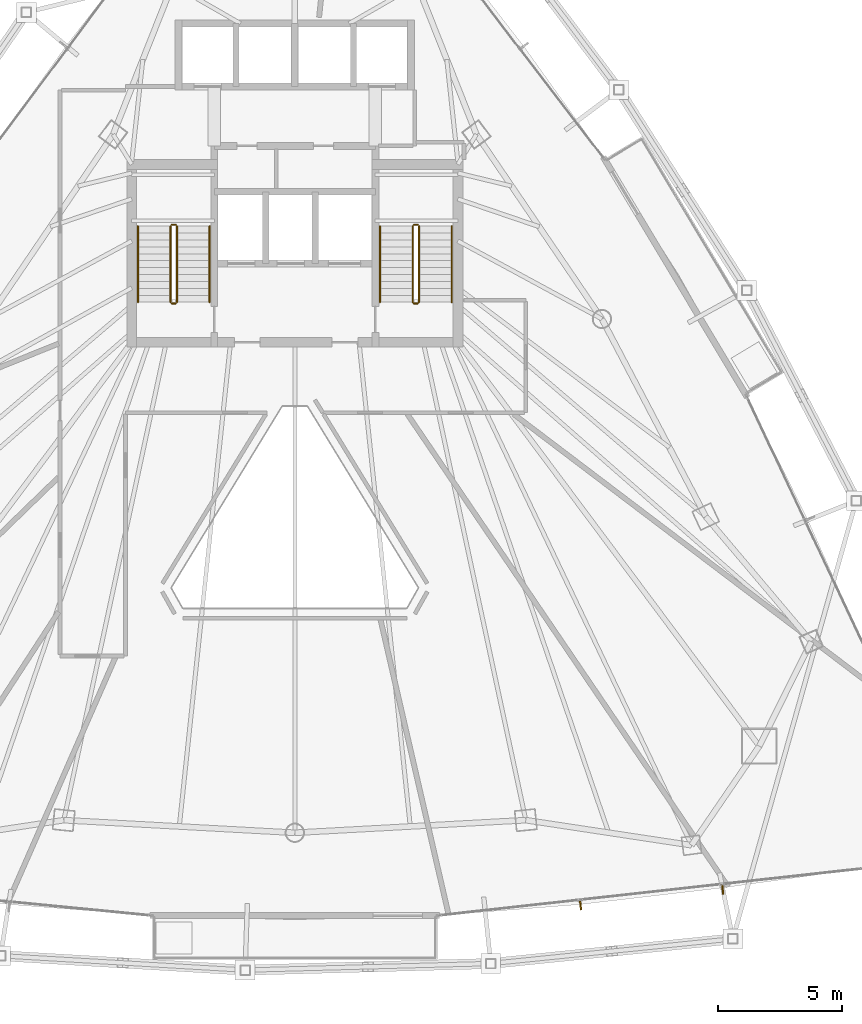
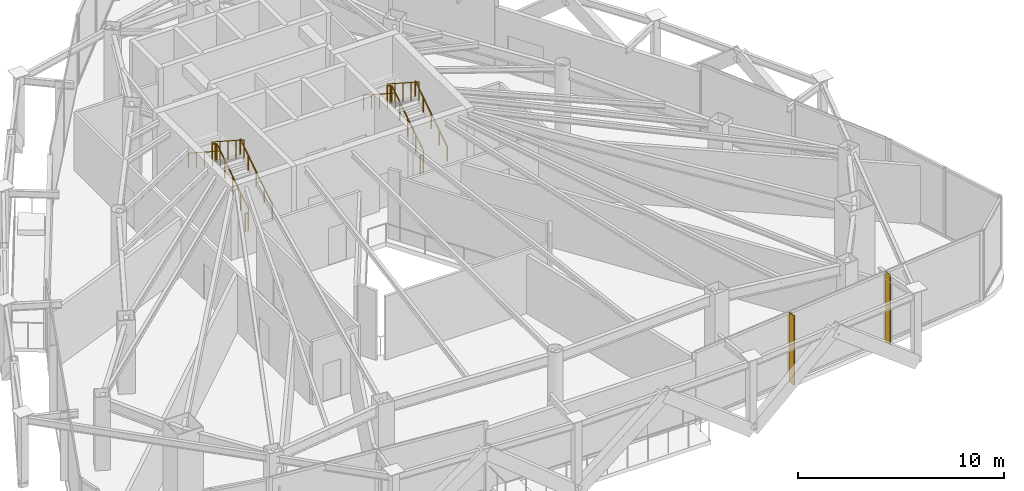
# One storey, part 27 of 28: 12 railings, 2 shading devices.
"""IFC4 building model written with IfcOpenShell, lengths in metres."""

from ifc_helpers import new_model, si_unit, direction, frame, origin, origin_2d, place, context, subcontext, project, spatial, rectangle, circle, extrude, material, layer, layer_set, type_object, element, save


model = new_model("IFC4")

# Units and contexts
model_context = context("Model", 3, precision=1e-05, world=origin(), true_north=direction((0.0, 1.0)))
body_context = subcontext(model_context, "Body", "Model", "MODEL_VIEW")
ifc_project = project(units=[si_unit("LENGTHUNIT", "METRE"), si_unit("AREAUNIT", "SQUARE_METRE"), si_unit("VOLUMEUNIT", "CUBIC_METRE"), si_unit("PLANEANGLEUNIT", "RADIAN"), si_unit("MASSUNIT", "GRAM", prefix="KILO")], contexts=[model_context])

# Site, building, storey
site_placement = place(None, origin())
site = spatial("IfcSite", under=ifc_project, at=site_placement, CompositionType="ELEMENT")
building_placement = place(site_placement, origin())
building = spatial("IfcBuilding", under=site, at=building_placement, Name="Orvanel Arch Residences", CompositionType="ELEMENT")
storey_placement = place(building_placement, frame((0.0, 0.0, 146.300048828125)))
storey = spatial("IfcBuildingStorey", under=building, at=storey_placement, Name="L41", CompositionType="ELEMENT", Elevation=146.300048828125)

# Shading devices
ifc_material_1 = material(Name="Bronze-anodised aluminium AA6063-T6", Category="aluminium")
ifc_layer = layer(ifc_material_1, 0.06005859375)
ifc_layer_set = layer_set([ifc_layer], Name="Bronze-anodised aluminium AA6063-T6")
shading_device_type = type_object("IfcShadingDeviceType", Name="FIN-BRZ-380", PredefinedType="USERDEFINED", material=ifc_layer_set)
for number, where, z_axis, x_axis, name in (
    (1, (44.56591796875, 3.909912109375, 0.0), (0.0, 0.0, 1.0), (0.109734311091, -0.993960955455, 0.0), "L41 Anodised Bronze Mullion FIN 01"),
    (2, (50.320068359375, 4.548095703125, 0.0), (0.0, 0.0, 1.0), (0.109734311091, -0.993960955455, 0.0), "L41 Anodised Bronze Mullion FIN 02"),
):
    element("IfcShadingDevice", number, at=place(storey_placement, frame(where, z_axis=z_axis, x_axis=x_axis)), inside=storey, type_object=shading_device_type, Name=name, ObjectType="FIN", PredefinedType="USERDEFINED", context=body_context, shape_type="SweptSolid", body=[
        extrude(rectangle(XDim=0.3798828125, YDim=0.06005859375, at=origin_2d()), origin(), (0.0, 0.0, 1.0), 4.110107421875),
    ])

# Railings
ifc_material_2 = material(Name="Structural steel AS/NZS 1163 C350L0 (Grade 350)", Category="steel")
railing_type_1 = type_object("IfcRailingType", Name="RL-STAIR-GUARD", PredefinedType="GUARDRAIL", material=ifc_material_2)
railing_1_placement = place(storey_placement, frame((28.22998046875, 28.320068359375, 0.18115234375)))
element("IfcRailing", 3, at=railing_1_placement, inside=storey, type_object=railing_type_1, Name="L41 ST-1 stair guard 1", PredefinedType="GUARDRAIL", context=body_context, shape_type="SweptSolid", body=[
    extrude(circle(Radius=0.02392578125, at=origin_2d()), frame((0.0, 0.001220703125, 1.076904296875), z_axis=(0.0, 0.839438020429, 0.543455435025), x_axis=(-1.0, 0.0, 0.0)), (0.0, 0.0, 1.0), 3.666015625),
    extrude(circle(Radius=0.02099609375, at=origin_2d()), origin(), (0.0, 0.0, 1.0), 1.050048828125),
    extrude(circle(Radius=0.02099609375, at=origin_2d()), frame((0.0, 0.77001953125, 0.49853515625)), (0.0, 0.0, 1.0), 1.050048828125),
    extrude(circle(Radius=0.02099609375, at=origin_2d()), frame((0.0, 1.5400390625, 0.9970703125)), (0.0, 0.0, 1.0), 1.050048828125),
    extrude(circle(Radius=0.02099609375, at=origin_2d()), frame((0.0, 2.309814453125, 1.495361328125)), (0.0, 0.0, 1.0), 1.050048828125),
    extrude(circle(Radius=0.02099609375, at=origin_2d()), frame((0.0, 3.079833984375, 1.993896484375)), (0.0, 0.0, 1.0), 1.050048828125),
])
railing_2_placement = place(storey_placement, frame((28.179931640625, 31.449951171875, 2.175048828125)))
element("IfcRailing", 4, at=railing_2_placement, inside=storey, type_object=railing_type_1, Name="L41 ST-1 stair guard 2", PredefinedType="GUARDRAIL", context=body_context, shape_type="SweptSolid", body=[
    extrude(circle(Radius=0.02392578125, at=origin_2d()), frame((-0.00146484375, 0.0, 1.076171875), z_axis=(-1.0, 0.0, 0.0), x_axis=(0.0, -1.0, 0.0)), (0.0, 0.0, 1.0), 0.156982421875),
    extrude(circle(Radius=0.02099609375, at=origin_2d()), origin(), (0.0, 0.0, 1.0), 1.050048828125),
    extrude(circle(Radius=0.02099609375, at=origin_2d()), frame((-0.159912109375, 0.0, 0.0)), (0.0, 0.0, 1.0), 1.050048828125),
])
railing_3_placement = place(storey_placement, frame((27.969970703125, 31.39990234375, 2.356201171875)))
element("IfcRailing", 5, at=railing_3_placement, inside=storey, type_object=railing_type_1, Name="L41 ST-1 stair guard 3", PredefinedType="GUARDRAIL", context=body_context, shape_type="SweptSolid", body=[
    extrude(circle(Radius=0.02392578125, at=origin_2d()), frame((0.0, -0.001220703125, 1.076904296875), z_axis=(0.0, -0.839468376875, 0.543408542652), x_axis=(1.0, 0.0, 0.0)), (0.0, 0.0, 1.0), 3.665771484375),
    extrude(circle(Radius=0.02099609375, at=origin_2d()), origin(), (0.0, 0.0, 1.0), 1.050048828125),
    extrude(circle(Radius=0.02099609375, at=origin_2d()), frame((0.0, -0.77001953125, 0.49853515625)), (0.0, 0.0, 1.0), 1.050048828125),
    extrude(circle(Radius=0.02099609375, at=origin_2d()), frame((0.0, -1.5400390625, 0.996826171875)), (0.0, 0.0, 1.0), 1.050048828125),
    extrude(circle(Radius=0.02099609375, at=origin_2d()), frame((0.0, -2.309814453125, 1.4951171875)), (0.0, 0.0, 1.0), 1.050048828125),
    extrude(circle(Radius=0.02099609375, at=origin_2d()), frame((0.0, -3.079833984375, 1.99365234375)), (0.0, 0.0, 1.0), 1.050048828125),
])
railing_4_placement = place(storey_placement, frame((28.179931640625, 28.27001953125, 0.0)))
element("IfcRailing", 6, at=railing_4_placement, inside=storey, type_object=railing_type_1, Name="L41 ST-1 stair guard 4", PredefinedType="GUARDRAIL", context=body_context, shape_type="SweptSolid", body=[
    extrude(circle(Radius=0.02392578125, at=origin_2d()), frame((-0.00146484375, 0.0, 1.076171875), z_axis=(-1.0, 0.0, 0.0), x_axis=(0.0, -1.0, 0.0)), (0.0, 0.0, 1.0), 0.156982421875),
    extrude(circle(Radius=0.02099609375, at=origin_2d()), origin(), (0.0, 0.0, 1.0), 1.050048828125),
    extrude(circle(Radius=0.02099609375, at=origin_2d()), frame((-0.159912109375, 0.0, 0.0)), (0.0, 0.0, 1.0), 1.050048828125),
])
railing_5_placement = place(storey_placement, frame((38.030029296875, 28.320068359375, 0.18115234375)))
element("IfcRailing", 7, at=railing_5_placement, inside=storey, type_object=railing_type_1, Name="L41 ST-2 stair guard 1", PredefinedType="GUARDRAIL", context=body_context, shape_type="SweptSolid", body=[
    extrude(circle(Radius=0.02392578125, at=origin_2d()), frame((0.0, 0.001220703125, 1.076904296875), z_axis=(0.0, 0.839438020429, 0.543455435025), x_axis=(-1.0, 0.0, 0.0)), (0.0, 0.0, 1.0), 3.666015625),
    extrude(circle(Radius=0.02099609375, at=origin_2d()), origin(), (0.0, 0.0, 1.0), 1.050048828125),
    extrude(circle(Radius=0.02099609375, at=origin_2d()), frame((0.0, 0.77001953125, 0.49853515625)), (0.0, 0.0, 1.0), 1.050048828125),
    extrude(circle(Radius=0.02099609375, at=origin_2d()), frame((0.0, 1.5400390625, 0.9970703125)), (0.0, 0.0, 1.0), 1.050048828125),
    extrude(circle(Radius=0.02099609375, at=origin_2d()), frame((0.0, 2.309814453125, 1.495361328125)), (0.0, 0.0, 1.0), 1.050048828125),
    extrude(circle(Radius=0.02099609375, at=origin_2d()), frame((0.0, 3.079833984375, 1.993896484375)), (0.0, 0.0, 1.0), 1.050048828125),
])
railing_6_placement = place(storey_placement, frame((37.97998046875, 31.449951171875, 2.175048828125)))
element("IfcRailing", 8, at=railing_6_placement, inside=storey, type_object=railing_type_1, Name="L41 ST-2 stair guard 2", PredefinedType="GUARDRAIL", context=body_context, shape_type="SweptSolid", body=[
    extrude(circle(Radius=0.02392578125, at=origin_2d()), frame((-0.00146484375, 0.0, 1.076171875), z_axis=(-1.0, 0.0, 0.0), x_axis=(0.0, -1.0, 0.0)), (0.0, 0.0, 1.0), 0.156982421875),
    extrude(circle(Radius=0.02099609375, at=origin_2d()), origin(), (0.0, 0.0, 1.0), 1.050048828125),
    extrude(circle(Radius=0.02099609375, at=origin_2d()), frame((-0.159912109375, 0.0, 0.0)), (0.0, 0.0, 1.0), 1.050048828125),
])
railing_7_placement = place(storey_placement, frame((37.77001953125, 31.39990234375, 2.356201171875)))
element("IfcRailing", 9, at=railing_7_placement, inside=storey, type_object=railing_type_1, Name="L41 ST-2 stair guard 3", PredefinedType="GUARDRAIL", context=body_context, shape_type="SweptSolid", body=[
    extrude(circle(Radius=0.02392578125, at=origin_2d()), frame((0.0, -0.001220703125, 1.076904296875), z_axis=(0.0, -0.839468376875, 0.543408542652), x_axis=(1.0, 0.0, 0.0)), (0.0, 0.0, 1.0), 3.665771484375),
    extrude(circle(Radius=0.02099609375, at=origin_2d()), origin(), (0.0, 0.0, 1.0), 1.050048828125),
    extrude(circle(Radius=0.02099609375, at=origin_2d()), frame((0.0, -0.77001953125, 0.49853515625)), (0.0, 0.0, 1.0), 1.050048828125),
    extrude(circle(Radius=0.02099609375, at=origin_2d()), frame((0.0, -1.5400390625, 0.996826171875)), (0.0, 0.0, 1.0), 1.050048828125),
    extrude(circle(Radius=0.02099609375, at=origin_2d()), frame((0.0, -2.309814453125, 1.4951171875)), (0.0, 0.0, 1.0), 1.050048828125),
    extrude(circle(Radius=0.02099609375, at=origin_2d()), frame((0.0, -3.079833984375, 1.99365234375)), (0.0, 0.0, 1.0), 1.050048828125),
])
railing_8_placement = place(storey_placement, frame((37.97998046875, 28.27001953125, 0.0)))
element("IfcRailing", 10, at=railing_8_placement, inside=storey, type_object=railing_type_1, Name="L41 ST-2 stair guard 4", PredefinedType="GUARDRAIL", context=body_context, shape_type="SweptSolid", body=[
    extrude(circle(Radius=0.02392578125, at=origin_2d()), frame((-0.00146484375, 0.0, 1.076171875), z_axis=(-1.0, 0.0, 0.0), x_axis=(0.0, -1.0, 0.0)), (0.0, 0.0, 1.0), 0.156982421875),
    extrude(circle(Radius=0.02099609375, at=origin_2d()), origin(), (0.0, 0.0, 1.0), 1.050048828125),
    extrude(circle(Radius=0.02099609375, at=origin_2d()), frame((-0.159912109375, 0.0, 0.0)), (0.0, 0.0, 1.0), 1.050048828125),
])
railing_type_2 = type_object("IfcRailingType", Name="RL-STAIR-HAND", PredefinedType="HANDRAIL", material=ifc_material_2)
railing_9_placement = place(storey_placement, frame((29.550048828125, 28.320068359375, 0.18115234375)))
element("IfcRailing", 11, at=railing_9_placement, inside=storey, type_object=railing_type_2, Name="L41 ST-1 stair handrail 1", PredefinedType="HANDRAIL", context=body_context, shape_type="SweptSolid", body=[
    extrude(circle(Radius=0.02392578125, at=origin_2d()), frame((0.0, 0.001220703125, 0.876708984375), z_axis=(0.0, 0.839438020429, 0.543455435025), x_axis=(-1.0, 0.0, 0.0)), (0.0, 0.0, 1.0), 3.666015625),
    extrude(circle(Radius=0.02099609375, at=origin_2d()), origin(), (0.0, 0.0, 1.0), 0.849853515625),
    extrude(circle(Radius=0.02099609375, at=origin_2d()), frame((0.0, 0.77001953125, 0.49853515625)), (0.0, 0.0, 1.0), 0.849853515625),
    extrude(circle(Radius=0.02099609375, at=origin_2d()), frame((0.0, 1.5400390625, 0.9970703125)), (0.0, 0.0, 1.0), 0.849853515625),
    extrude(circle(Radius=0.02099609375, at=origin_2d()), frame((0.0, 2.309814453125, 1.495361328125)), (0.0, 0.0, 1.0), 0.849853515625),
    extrude(circle(Radius=0.02099609375, at=origin_2d()), frame((0.0, 3.079833984375, 1.993896484375)), (0.0, 0.0, 1.0), 0.849853515625),
])
railing_10_placement = place(storey_placement, frame((26.64990234375, 31.39990234375, 2.356201171875)))
element("IfcRailing", 12, at=railing_10_placement, inside=storey, type_object=railing_type_2, Name="L41 ST-1 stair handrail 2", PredefinedType="HANDRAIL", context=body_context, shape_type="SweptSolid", body=[
    extrude(circle(Radius=0.02392578125, at=origin_2d()), frame((0.0, -0.001220703125, 0.876708984375), z_axis=(0.0, -0.839468376875, 0.543408542652), x_axis=(1.0, 0.0, 0.0)), (0.0, 0.0, 1.0), 3.665771484375),
    extrude(circle(Radius=0.02099609375, at=origin_2d()), origin(), (0.0, 0.0, 1.0), 0.849853515625),
    extrude(circle(Radius=0.02099609375, at=origin_2d()), frame((0.0, -0.77001953125, 0.49853515625)), (0.0, 0.0, 1.0), 0.849853515625),
    extrude(circle(Radius=0.02099609375, at=origin_2d()), frame((0.0, -1.5400390625, 0.996826171875)), (0.0, 0.0, 1.0), 0.849853515625),
    extrude(circle(Radius=0.02099609375, at=origin_2d()), frame((0.0, -2.309814453125, 1.4951171875)), (0.0, 0.0, 1.0), 0.849853515625),
    extrude(circle(Radius=0.02099609375, at=origin_2d()), frame((0.0, -3.079833984375, 1.99365234375)), (0.0, 0.0, 1.0), 0.849853515625),
])
railing_11_placement = place(storey_placement, frame((39.35009765625, 28.320068359375, 0.18115234375)))
element("IfcRailing", 13, at=railing_11_placement, inside=storey, type_object=railing_type_2, Name="L41 ST-2 stair handrail 1", PredefinedType="HANDRAIL", context=body_context, shape_type="SweptSolid", body=[
    extrude(circle(Radius=0.02392578125, at=origin_2d()), frame((0.0, 0.001220703125, 0.876708984375), z_axis=(0.0, 0.839438020429, 0.543455435025), x_axis=(-1.0, 0.0, 0.0)), (0.0, 0.0, 1.0), 3.666015625),
    extrude(circle(Radius=0.02099609375, at=origin_2d()), origin(), (0.0, 0.0, 1.0), 0.849853515625),
    extrude(circle(Radius=0.02099609375, at=origin_2d()), frame((0.0, 0.77001953125, 0.49853515625)), (0.0, 0.0, 1.0), 0.849853515625),
    extrude(circle(Radius=0.02099609375, at=origin_2d()), frame((0.0, 1.5400390625, 0.9970703125)), (0.0, 0.0, 1.0), 0.849853515625),
    extrude(circle(Radius=0.02099609375, at=origin_2d()), frame((0.0, 2.309814453125, 1.495361328125)), (0.0, 0.0, 1.0), 0.849853515625),
    extrude(circle(Radius=0.02099609375, at=origin_2d()), frame((0.0, 3.079833984375, 1.993896484375)), (0.0, 0.0, 1.0), 0.849853515625),
])
railing_12_placement = place(storey_placement, frame((36.449951171875, 31.39990234375, 2.356201171875)))
element("IfcRailing", 14, at=railing_12_placement, inside=storey, type_object=railing_type_2, Name="L41 ST-2 stair handrail 2", PredefinedType="HANDRAIL", context=body_context, shape_type="SweptSolid", body=[
    extrude(circle(Radius=0.02392578125, at=origin_2d()), frame((0.0, -0.001220703125, 0.876708984375), z_axis=(0.0, -0.839468376875, 0.543408542652), x_axis=(1.0, 0.0, 0.0)), (0.0, 0.0, 1.0), 3.665771484375),
    extrude(circle(Radius=0.02099609375, at=origin_2d()), origin(), (0.0, 0.0, 1.0), 0.849853515625),
    extrude(circle(Radius=0.02099609375, at=origin_2d()), frame((0.0, -0.77001953125, 0.49853515625)), (0.0, 0.0, 1.0), 0.849853515625),
    extrude(circle(Radius=0.02099609375, at=origin_2d()), frame((0.0, -1.5400390625, 0.996826171875)), (0.0, 0.0, 1.0), 0.849853515625),
    extrude(circle(Radius=0.02099609375, at=origin_2d()), frame((0.0, -2.309814453125, 1.4951171875)), (0.0, 0.0, 1.0), 0.849853515625),
    extrude(circle(Radius=0.02099609375, at=origin_2d()), frame((0.0, -3.079833984375, 1.99365234375)), (0.0, 0.0, 1.0), 0.849853515625),
])

save(model, "model.ifc")
